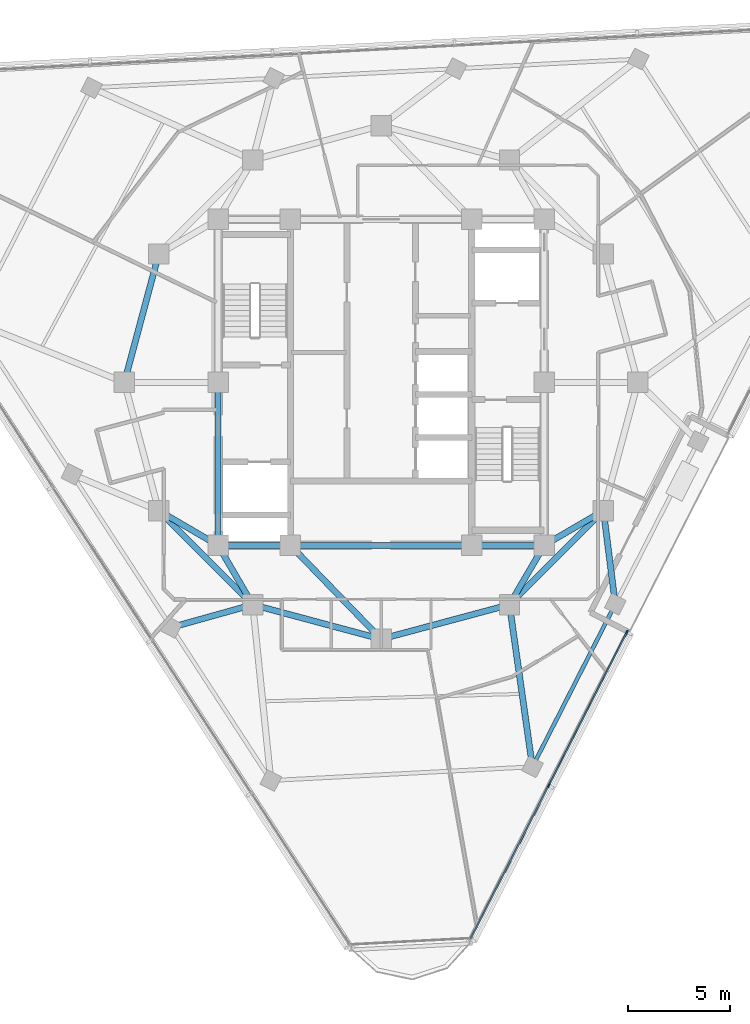
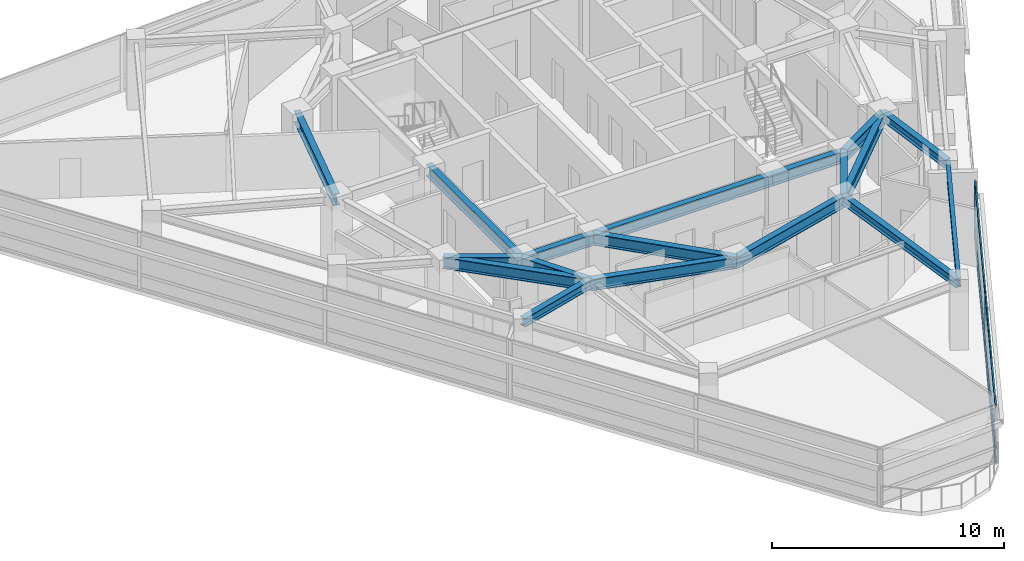
# One storey, part 3 of 15: 18 beams, 8 members, 1 element without a shape of its own.
"""IFC4 building model written with IfcOpenShell, lengths in metres."""

import ifcopenshell
import ifcopenshell.guid

model = None  # the IFC model being written
_history = None  # IfcOwnerHistory: only IFC2X3 demands one
_inside = {}  # id of a spatial element -> (the spatial element, [elements in it])
_under = {}  # id of a project, library or spatial element -> (it, [spatial elements below it])
_declared = {}  # id of a project -> (the project, [libraries it declares])
_typed = {}  # id of a type object -> (the type object, [elements of that type])
_made_of = {}  # id of a material, layer set ... -> (it, [elements and type objects made of it])


def new_model(schema):
    """Start an empty IFC model of exactly this schema.

    Asked for "IFC4X3", IfcOpenShell would pick the latest addendum, in which some entities
    have other attributes; the version numbers below select the first issue.
    IFC2X3 requires an IfcOwnerHistory on every rooted entity: one is made here for all.
    """
    global model, _history
    if schema == "IFC4X3":
        model = ifcopenshell.file(schema_version=(4, 3, 0, 0))
    else:
        model = ifcopenshell.file(schema=schema)
    _inside.clear()
    _under.clear()
    _declared.clear()
    _typed.clear()
    _made_of.clear()
    _history = None
    if model.schema == "IFC2X3":
        org = make("IfcOrganization", Name="unknown")
        user = make(
            "IfcPersonAndOrganization",
            ThePerson=make("IfcPerson", FamilyName="unknown"),
            TheOrganization=org,
        )
        app = make(
            "IfcApplication",
            ApplicationDeveloper=org,
            Version="unknown",
            ApplicationFullName="unknown",
            ApplicationIdentifier="unknown",
        )
        _history = make(
            "IfcOwnerHistory",
            OwningUser=user,
            OwningApplication=app,
            ChangeAction="ADDED",
            CreationDate=0,
        )
    return model


def make(cls, **values):
    """One entity of the class cls with the attributes given. An attribute that is None is left unset."""
    return model.create_entity(
        cls, **{name: value for name, value in values.items() if value is not None}
    )


def rooted(cls, **values):
    """An entity with a GlobalId (a new one), such as an element, a storey or a relation."""
    return make(cls, GlobalId=ifcopenshell.guid.new(), OwnerHistory=_history, **values)


def si_unit(unit_type, name, prefix=None):
    """IfcSIUnit, for example si_unit("LENGTHUNIT", "METRE", prefix="MILLI")."""
    return make("IfcSIUnit", UnitType=unit_type, Prefix=prefix, Name=name)


def assignment(units):
    """IfcUnitAssignment: the units of a project."""
    return None if units is None else make("IfcUnitAssignment", Units=units)


def point(xyz):
    """IfcCartesianPoint."""
    return None if xyz is None else make("IfcCartesianPoint", Coordinates=xyz)


def direction(xyz):
    """IfcDirection."""
    return None if xyz is None else make("IfcDirection", DirectionRatios=xyz)


def frame(location, z_axis=None, x_axis=None):
    """IfcAxis2Placement3D, a coordinate frame: its origin and axes. An axis left out is left unset."""
    return make(
        "IfcAxis2Placement3D",
        Location=point(location),
        Axis=direction(z_axis),
        RefDirection=direction(x_axis),
    )


def frame_2d(location, x_axis=None):
    """IfcAxis2Placement2D, a coordinate frame in the plane: its origin and x axis."""
    return make(
        "IfcAxis2Placement2D", Location=point(location), RefDirection=direction(x_axis)
    )


def origin():
    """The frame at (0, 0, 0) with its axes left unset."""
    return frame((0.0, 0.0, 0.0))


def origin_2d():
    """The frame at (0, 0) in the plane with its x axis left unset."""
    return frame_2d((0.0, 0.0))


def place(relative_to, where):
    """IfcLocalPlacement: puts the frame where relative to a parent placement (None: the world)."""
    return make(
        "IfcLocalPlacement", PlacementRelTo=relative_to, RelativePlacement=where
    )


def context(
    kind, dimensions, precision=None, world=None, true_north=None, identifier=None
):
    """IfcGeometricRepresentationContext, for example the 3D "Model" context."""
    return make(
        "IfcGeometricRepresentationContext",
        ContextIdentifier=identifier,
        ContextType=kind,
        CoordinateSpaceDimension=dimensions,
        Precision=precision,
        WorldCoordinateSystem=world,
        TrueNorth=true_north,
    )


def subcontext(parent, identifier, kind, view, scale=None):
    """IfcGeometricRepresentationSubContext, for example "Body" below "Model"."""
    return make(
        "IfcGeometricRepresentationSubContext",
        ContextIdentifier=identifier,
        ContextType=kind,
        ParentContext=parent,
        TargetScale=scale,
        TargetView=view,
    )


def project(units=None, contexts=None):
    """IfcProject with its units and contexts."""
    return rooted(
        "IfcProject",
        Name="project",
        RepresentationContexts=contexts,
        UnitsInContext=assignment(units),
    )


def spatial(cls, under=None, at=None, **own):
    """A site, building, storey or space (cls), placed at a placement, below another one or the project."""
    s = rooted(cls, ObjectPlacement=at, **own)
    if under is not None:
        _under.setdefault(under.id(), (under, []))[1].append(s)
    return s


def profile(cls, at=None, kind="AREA", **sizes):
    """A parametric profile (cls). Its sizes go by their IFC names, for example OverallWidth=200.0."""
    return make(cls, ProfileType=kind, Position=at, **sizes)


def rectangle(**sizes):
    """IfcRectangleProfileDef."""
    return profile("IfcRectangleProfileDef", **sizes)


def i_section(**sizes):
    """IfcIShapeProfileDef."""
    return profile("IfcIShapeProfileDef", **sizes)


def extrude(swept, where, along, depth):
    """IfcExtrudedAreaSolid: the profile swept, set in the frame where, extruded along a direction by depth."""
    return make(
        "IfcExtrudedAreaSolid",
        SweptArea=swept,
        Position=where,
        ExtrudedDirection=direction(along),
        Depth=depth,
    )


def shape(context_of_items, identifier, shape_type, items):
    """IfcShapeRepresentation: the items that make up one representation, for example the "Body"."""
    return make(
        "IfcShapeRepresentation",
        ContextOfItems=context_of_items,
        RepresentationIdentifier=identifier,
        RepresentationType=shape_type,
        Items=items,
    )


def material(Name=None, Category=None):
    """IfcMaterial."""
    return make("IfcMaterial", Name=Name, Category=Category)


def layer(
    of_material, thickness, ventilated=None, Name=None, Category=None, Priority=None
):
    """IfcMaterialLayer: one layer of a wall or slab, of a material (None: an air gap)."""
    return make(
        "IfcMaterialLayer",
        Material=of_material,
        LayerThickness=thickness,
        IsVentilated=ventilated,
        Name=Name,
        Category=Category,
        Priority=Priority,
    )


def layer_set(layers, Name=None):
    """IfcMaterialLayerSet."""
    return make("IfcMaterialLayerSet", MaterialLayers=layers, LayerSetName=Name)


def material_profile(
    of_material, cross_section, Name=None, Category=None, Priority=None
):
    """IfcMaterialProfile: a cross section and its material."""
    return make(
        "IfcMaterialProfile",
        Name=Name,
        Material=of_material,
        Profile=cross_section,
        Priority=Priority,
        Category=Category,
    )


def profile_set(profiles, Name=None, composite=None):
    """IfcMaterialProfileSet."""
    return make(
        "IfcMaterialProfileSet",
        Name=Name,
        MaterialProfiles=profiles,
        CompositeProfile=composite,
    )


def made_of(thing, what):
    """Note that an element or type object is made of a material, layer set ...; save() writes the relation."""
    if what is not None:
        _made_of.setdefault(what.id(), (what, []))[1].append(thing)
    return thing


def type_object(cls, material=None, **own):
    """A type object (cls), such as IfcWallType, which elements share."""
    return made_of(rooted(cls, **own), material)


def element(
    cls,
    number,
    at=None,
    inside=None,
    cuts=None,
    type_object=None,
    material=None,
    context=None,
    identifier="Body",
    shape_type=None,
    held_by="IfcProductDefinitionShape",
    body=None,
    shapes=None,
    **own,
):
    """One element of the class cls, such as IfcWall. Its Tag is "e" and its number.

    at: its placement. inside: the storey or other place that contains it. cuts: it is an
    opening in that element (IfcRelVoidsElement). A single representation is given by context,
    identifier, shape_type and body (its items); several are given by shapes. held_by: the class
    of the entity that holds the representations. save() writes the other relations.
    """
    e = rooted(cls, Tag="e%d" % number, ObjectPlacement=at, **own)
    if body is not None:
        shapes = [shape(context, identifier, shape_type, body)]
    if shapes is not None:
        e.Representation = make(held_by, Representations=shapes)
    if inside is not None:
        _inside.setdefault(inside.id(), (inside, []))[1].append(e)
    if cuts is not None:
        rooted(
            "IfcRelVoidsElement", RelatingBuildingElement=cuts, RelatedOpeningElement=e
        )
    if type_object is not None:
        _typed.setdefault(type_object.id(), (type_object, []))[1].append(e)
    return made_of(e, material)


def aggregate(whole, parts):
    """IfcRelAggregates: a whole, such as a stair, and the parts it consists of."""
    return rooted("IfcRelAggregates", RelatingObject=whole, RelatedObjects=parts)


def save(model, path):
    """Write the relations noted so far, then the file.

    IfcRelAggregates (storeys below a building ...), IfcRelContainedInSpatialStructure (elements
    in a storey), IfcRelDefinesByType, IfcRelAssociatesMaterial and IfcRelDeclares: one each for
    every whole, place, type object, material and project.
    """
    for whole, parts in _under.values():
        aggregate(whole, parts)
    for where, things in _inside.values():
        rooted(
            "IfcRelContainedInSpatialStructure",
            RelatedElements=things,
            RelatingStructure=where,
        )
    for kind, things in _typed.values():
        rooted("IfcRelDefinesByType", RelatedObjects=things, RelatingType=kind)
    for what, things in _made_of.values():
        rooted("IfcRelAssociatesMaterial", RelatedObjects=things, RelatingMaterial=what)
    for by, libraries in _declared.values():
        rooted("IfcRelDeclares", RelatingContext=by, RelatedDefinitions=libraries)
    model.write(path)


model = new_model("IFC4")

# Units and contexts
model_context = context("Model", 3, precision=1e-05, world=origin(), true_north=direction((0.0, 1.0)))
body_context = subcontext(model_context, "Body", "Model", "MODEL_VIEW")
ifc_project = project(units=[si_unit("LENGTHUNIT", "METRE"), si_unit("AREAUNIT", "SQUARE_METRE"), si_unit("VOLUMEUNIT", "CUBIC_METRE"), si_unit("PLANEANGLEUNIT", "RADIAN"), si_unit("MASSUNIT", "GRAM", prefix="KILO")], contexts=[model_context])

# Site, building, storey
site_placement = place(None, origin())
site = spatial("IfcSite", under=ifc_project, at=site_placement, CompositionType="ELEMENT")
building_placement = place(site_placement, origin())
building = spatial("IfcBuilding", under=site, at=building_placement, Name="Terralouvre Media Tower", CompositionType="ELEMENT")
storey_placement = place(building_placement, frame((0.0, 0.0, 252.199951171875)))
storey = spatial("IfcBuildingStorey", under=building, at=storey_placement, Name="L65", CompositionType="ELEMENT", Elevation=252.199951171875)

# Curtain wall, members
ifc_material_1 = material(Name="Low-iron laminated double glazing with solar-control coating", Category="glass")
ifc_layer = layer(ifc_material_1, 0.1650390625, Name="Upper Executive Tower Curtain Wall CW-05")
ifc_layer_set = layer_set([ifc_layer], Name="Low-iron laminated double glazing with solar-control coating")
curtain_wall_type = type_object("IfcCurtainWallType", Name="Upper Executive Tower Curtain Wall CW-05", PredefinedType="NOTDEFINED", material=ifc_layer_set)
curtain_wall_placement = place(storey_placement, origin())
curtain_wall = element("IfcCurtainWall", 1, at=curtain_wall_placement, inside=storey, type_object=curtain_wall_type, Name="L65 Left Flank Curtain Wall F0", PredefinedType="NOTDEFINED")
ifc_material_2 = material(Name="Anodised extruded aluminium 6063-T6", Category="aluminium")
ifc_material_profile_1 = material_profile(ifc_material_2, rectangle(XDim=0.074951171875, YDim=0.14990234375, at=origin_2d()), Name="ALU 75x150")
ifc_profile_set_1 = profile_set([ifc_material_profile_1], Name="Anodised extruded aluminium 6063-T6")
member_type_1 = type_object("IfcMemberType", Name="Curtain-Wall Horizontal Transom TR-150", PredefinedType="USERDEFINED", material=ifc_profile_set_1)
member_1_placement = place(storey_placement, frame((4.3994140625, -27.297607421875, 0.03759765625), z_axis=(0.453988569409, 0.891007507738, 0.0), x_axis=(-0.891007507738, 0.453988569409, 0.0)))
member_1 = element("IfcMember", 2, at=member_1_placement, type_object=member_type_1, Name="CW-05 transom 1.1", ObjectType="TRANSOM", PredefinedType="USERDEFINED", context=body_context, shape_type="SweptSolid", body=[
    extrude(rectangle(XDim=0.074951171875, YDim=0.14990234375, at=origin_2d()), origin(), (0.0, 0.0, 1.0), 8.387451171875),
])
member_2_placement = place(storey_placement, frame((4.3994140625, -27.297607421875, 0.800048828125), z_axis=(0.453988569409, 0.891007507738, 0.0), x_axis=(-0.891007507738, 0.453988569409, 0.0)))
member_2 = element("IfcMember", 3, at=member_2_placement, type_object=member_type_1, Name="CW-05 transom 1.2", ObjectType="TRANSOM", PredefinedType="USERDEFINED", context=body_context, shape_type="SweptSolid", body=[
    extrude(rectangle(XDim=0.074951171875, YDim=0.14990234375, at=origin_2d()), origin(), (0.0, 0.0, 1.0), 8.387451171875),
])
member_3_placement = place(storey_placement, frame((4.3994140625, -27.297607421875, 2.962646484375), z_axis=(0.453988569409, 0.891007507738, 0.0), x_axis=(-0.891007507738, 0.453988569409, 0.0)))
member_3 = element("IfcMember", 4, at=member_3_placement, type_object=member_type_1, Name="CW-05 transom 1.3", ObjectType="TRANSOM", PredefinedType="USERDEFINED", context=body_context, shape_type="SweptSolid", body=[
    extrude(rectangle(XDim=0.074951171875, YDim=0.14990234375, at=origin_2d()), origin(), (0.0, 0.0, 1.0), 8.387451171875),
])
member_4_placement = place(storey_placement, frame((8.2412109375, -19.75732421875, 0.03759765625), z_axis=(0.453988569409, 0.891007507738, 0.0), x_axis=(-0.891007507738, 0.453988569409, 0.0)))
member_4 = element("IfcMember", 5, at=member_4_placement, type_object=member_type_1, Name="CW-05 transom 2.1", ObjectType="TRANSOM", PredefinedType="USERDEFINED", context=body_context, shape_type="SweptSolid", body=[
    extrude(rectangle(XDim=0.074951171875, YDim=0.14990234375, at=origin_2d()), origin(), (0.0, 0.0, 1.0), 8.387451171875),
])
member_5_placement = place(storey_placement, frame((8.2412109375, -19.75732421875, 0.800048828125), z_axis=(0.453988569409, 0.891007507738, 0.0), x_axis=(-0.891007507738, 0.453988569409, 0.0)))
member_5 = element("IfcMember", 6, at=member_5_placement, type_object=member_type_1, Name="CW-05 transom 2.2", ObjectType="TRANSOM", PredefinedType="USERDEFINED", context=body_context, shape_type="SweptSolid", body=[
    extrude(rectangle(XDim=0.074951171875, YDim=0.14990234375, at=origin_2d()), origin(), (0.0, 0.0, 1.0), 8.387451171875),
])
member_6_placement = place(storey_placement, frame((8.2412109375, -19.75732421875, 2.962646484375), z_axis=(0.453988569409, 0.891007507738, 0.0), x_axis=(-0.891007507738, 0.453988569409, 0.0)))
member_6 = element("IfcMember", 7, at=member_6_placement, type_object=member_type_1, Name="CW-05 transom 2.3", ObjectType="TRANSOM", PredefinedType="USERDEFINED", context=body_context, shape_type="SweptSolid", body=[
    extrude(rectangle(XDim=0.074951171875, YDim=0.14990234375, at=origin_2d()), origin(), (0.0, 0.0, 1.0), 8.387451171875),
])
ifc_material_3 = material(Name="Anodised extruded aluminium 6063-T6", Category="aluminium")
ifc_material_profile_2 = material_profile(ifc_material_3, rectangle(XDim=0.074951171875, YDim=0.179931640625, at=origin_2d()), Name="ALU 75x180")
ifc_profile_set_2 = profile_set([ifc_material_profile_2], Name="Anodised extruded aluminium 6063-T6")
member_type_2 = type_object("IfcMemberType", Name="Curtain-Wall Vertical Mullion ML-180", PredefinedType="MULLION", material=ifc_profile_set_2)
member_7_placement = place(storey_placement, frame((8.22412109375, -19.790771484375, 0.0), z_axis=(0.0, 0.0, 1.0), x_axis=(-0.89100683653, 0.453989886735, 0.0)))
member_7 = element("IfcMember", 8, at=member_7_placement, type_object=member_type_2, Name="CW-05 mullion 2", PredefinedType="MULLION", context=body_context, shape_type="SweptSolid", body=[
    extrude(rectangle(XDim=0.074951171875, YDim=0.179931640625, at=origin_2d()), origin(), (0.0, 0.0, 1.0), 3.0),
])
member_8_placement = place(storey_placement, frame((12.066162109375, -12.250732421875, 0.0), z_axis=(0.0, 0.0, 1.0), x_axis=(-0.89100683653, 0.453989886735, 0.0)))
member_8 = element("IfcMember", 9, at=member_8_placement, type_object=member_type_2, Name="CW-05 mullion 3", PredefinedType="MULLION", context=body_context, shape_type="SweptSolid", body=[
    extrude(rectangle(XDim=0.074951171875, YDim=0.179931640625, at=origin_2d()), origin(), (0.0, 0.0, 1.0), 3.0),
])
aggregate(curtain_wall, [member_7, member_8, member_1, member_2, member_3, member_4, member_5, member_6])

# Beams
ifc_material_4 = material(Name="Structural steel S355J2", Category="steel")
ifc_material_profile_3 = material_profile(ifc_material_4, i_section(OverallWidth=0.18994140625, OverallDepth=0.449951171875, WebThickness=0.009521484375, FlangeThickness=0.0146484375, at=origin_2d()), Name="IPE 450")
ifc_profile_set_3 = profile_set([ifc_material_profile_3], Name="Structural steel S355J2")
beam_type_1 = type_object("IfcBeamType", Name="Perimeter Spandrel Beam SPB-450 (IPE 450)", PredefinedType="SPANDREL", material=ifc_profile_set_3)
beam_1_placement = place(storey_placement, frame((7.42626953125, -18.867919921875, 3.275146484375), z_axis=(0.453980068772, 0.891011838955, 0.0), x_axis=(-0.891011838955, 0.453980068772, 0.0)))
element("IfcBeam", 10, at=beam_1_placement, inside=storey, type_object=beam_type_1, Name="L65 Framing Beam BM-L65-PR04", PredefinedType="SPANDREL", context=body_context, shape_type="SweptSolid", body=[
    extrude(i_section(OverallWidth=0.18994140625, OverallDepth=0.449951171875, WebThickness=0.009521484375, FlangeThickness=0.0146484375, at=origin_2d()), origin(), (0.0, 0.0, 1.0), 8.9599609375),
])
ifc_material_5 = material(Name="Structural steel S355J2", Category="steel")
ifc_material_profile_4 = material_profile(ifc_material_5, i_section(OverallWidth=0.300048828125, OverallDepth=0.449951171875, WebThickness=0.013916015625, FlangeThickness=0.02587890625, at=origin_2d()), Name="HEB 450")
ifc_profile_set_4 = profile_set([ifc_material_profile_4], Name="Structural steel S355J2")
beam_type_2 = type_object("IfcBeamType", Name="Primary Floor Girder B-HEB450 (HEB 450)", PredefinedType="BEAM", material=ifc_profile_set_4)
beam_2_placement = place(storey_placement, frame((-6.300048828125, -10.911865234375, 3.275146484375), z_axis=(-0.963188145668, -0.268828190571, 0.0), x_axis=(0.268828190571, -0.963188145668, 0.0)))
element("IfcBeam", 11, at=beam_2_placement, inside=storey, type_object=beam_type_2, Name="L65 Framing Beam BM-L65-RD02", PredefinedType="BEAM", context=body_context, shape_type="SweptSolid", body=[
    extrude(i_section(OverallWidth=0.300048828125, OverallDepth=0.449951171875, WebThickness=0.013916015625, FlangeThickness=0.02587890625, at=origin_2d()), origin(), (0.0, 0.0, 1.0), 4.145751953125),
])
beam_3_placement = place(storey_placement, frame((6.300048828125, -10.911865234375, 3.275146484375), z_axis=(0.140157905782, -0.990129164022, 0.0), x_axis=(0.990129164022, 0.140157905782, 0.0)))
element("IfcBeam", 12, at=beam_3_placement, inside=storey, type_object=beam_type_2, Name="L65 Framing Beam BM-L65-RD04", PredefinedType="BEAM", context=body_context, shape_type="SweptSolid", body=[
    extrude(i_section(OverallWidth=0.300048828125, OverallDepth=0.449951171875, WebThickness=0.013916015625, FlangeThickness=0.02587890625, at=origin_2d()), origin(), (0.0, 0.0, 1.0), 8.035400390625),
])
beam_4_placement = place(storey_placement, frame((10.911865234375, -6.300048828125, 3.275146484375), z_axis=(0.125946128673, -0.992037082307, 0.0), x_axis=(0.992037082307, 0.125946128673, 0.0)))
element("IfcBeam", 13, at=beam_4_placement, inside=storey, type_object=beam_type_2, Name="L65 Framing Beam BM-L65-RD05", PredefinedType="BEAM", context=body_context, shape_type="SweptSolid", body=[
    extrude(i_section(OverallWidth=0.300048828125, OverallDepth=0.449951171875, WebThickness=0.013916015625, FlangeThickness=0.02587890625, at=origin_2d()), origin(), (0.0, 0.0, 1.0), 4.621337890625),
])
ifc_material_6 = material(Name="Structural steel S460M", Category="steel")
ifc_material_profile_5 = material_profile(ifc_material_6, i_section(OverallWidth=0.300048828125, OverallDepth=0.60009765625, WebThickness=0.015380859375, FlangeThickness=0.030029296875, at=origin_2d()), Name="HEB 600")
ifc_profile_set_5 = profile_set([ifc_material_profile_5], Name="Structural steel S460M")
beam_type_3 = type_object("IfcBeamType", Name="Primary Floor Girder B-HEB600 (HEB 600)", PredefinedType="BEAM", material=ifc_profile_set_5)
beam_5_placement = place(storey_placement, frame((-8.0, -8.0, 3.199951171875), z_axis=(1.0, 0.0, 0.0), x_axis=(0.0, 1.0, 0.0)))
element("IfcBeam", 14, at=beam_5_placement, inside=storey, type_object=beam_type_3, Name="L65 Framing Beam BM-L65-CPR01", PredefinedType="BEAM", context=body_context, shape_type="SweptSolid", body=[
    extrude(i_section(OverallWidth=0.300048828125, OverallDepth=0.60009765625, WebThickness=0.015380859375, FlangeThickness=0.030029296875, at=origin_2d()), origin(), (0.0, 0.0, 1.0), 3.550048828125),
])
beam_6_placement = place(storey_placement, frame((-4.449951171875, -8.0, 3.199951171875), z_axis=(1.0, 0.0, 0.0), x_axis=(0.0, 1.0, 0.0)))
element("IfcBeam", 15, at=beam_6_placement, inside=storey, type_object=beam_type_3, Name="L65 Framing Beam BM-L65-CPR02", PredefinedType="BEAM", context=body_context, shape_type="SweptSolid", body=[
    extrude(i_section(OverallWidth=0.300048828125, OverallDepth=0.60009765625, WebThickness=0.015380859375, FlangeThickness=0.030029296875, at=origin_2d()), origin(), (0.0, 0.0, 1.0), 8.89990234375),
])
beam_7_placement = place(storey_placement, frame((4.449951171875, -8.0, 3.199951171875), z_axis=(1.0, 0.0, 0.0), x_axis=(0.0, 1.0, 0.0)))
element("IfcBeam", 16, at=beam_7_placement, inside=storey, type_object=beam_type_3, Name="L65 Framing Beam BM-L65-CPR03", PredefinedType="BEAM", context=body_context, shape_type="SweptSolid", body=[
    extrude(i_section(OverallWidth=0.300048828125, OverallDepth=0.60009765625, WebThickness=0.015380859375, FlangeThickness=0.030029296875, at=origin_2d()), origin(), (0.0, 0.0, 1.0), 3.550048828125),
])
beam_8_placement = place(storey_placement, frame((-8.0, 0.0, 3.199951171875), z_axis=(0.0, -1.0, 0.0), x_axis=(1.0, 0.0, 0.0)))
element("IfcBeam", 17, at=beam_8_placement, inside=storey, type_object=beam_type_3, Name="L65 Framing Beam BM-L65-CPR10", PredefinedType="BEAM", context=body_context, shape_type="SweptSolid", body=[
    extrude(i_section(OverallWidth=0.300048828125, OverallDepth=0.60009765625, WebThickness=0.015380859375, FlangeThickness=0.030029296875, at=origin_2d()), origin(), (0.0, 0.0, 1.0), 8.0),
])
beam_9_placement = place(storey_placement, frame((-10.911865234375, -6.300048828125, 3.199951171875), z_axis=(0.707106781187, -0.707106781187, 0.0), x_axis=(0.707106781187, 0.707106781187, 0.0)))
element("IfcBeam", 18, at=beam_9_placement, inside=storey, type_object=beam_type_3, Name="L65 Framing Beam BM-L65-MR01", PredefinedType="BEAM", context=body_context, shape_type="SweptSolid", body=[
    extrude(i_section(OverallWidth=0.300048828125, OverallDepth=0.60009765625, WebThickness=0.015380859375, FlangeThickness=0.030029296875, at=origin_2d()), origin(), (0.0, 0.0, 1.0), 6.52197265625),
])
for number, where, z_axis, x_axis, name in (
    (19, (-6.300048828125, -10.911865234375, 3.199951171875), (0.965920481897, -0.258838989821, 0.0), (0.258838989821, 0.965920481897, 0.0), "L65 Framing Beam BM-L65-MR02"),
    (20, (0.0, -12.60009765625, 3.199951171875), (0.965920481897, 0.258838989821, 0.0), (-0.258838989821, 0.965920481897, 0.0), "L65 Framing Beam BM-L65-MR03"),
):
    element("IfcBeam", number, at=place(storey_placement, frame(where, z_axis=z_axis, x_axis=x_axis)), inside=storey, type_object=beam_type_3, Name=name, PredefinedType="BEAM", context=body_context, shape_type="SweptSolid", body=[
        extrude(i_section(OverallWidth=0.300048828125, OverallDepth=0.60009765625, WebThickness=0.015380859375, FlangeThickness=0.030029296875, at=origin_2d()), origin(), (0.0, 0.0, 1.0), 6.522216796875),
    ])
beam_10_placement = place(storey_placement, frame((6.300048828125, -10.911865234375, 3.199951171875), z_axis=(0.707106781187, 0.707106781187, 0.0), x_axis=(-0.707106781187, 0.707106781187, 0.0)))
element("IfcBeam", 21, at=beam_10_placement, inside=storey, type_object=beam_type_3, Name="L65 Framing Beam BM-L65-MR04", PredefinedType="BEAM", context=body_context, shape_type="SweptSolid", body=[
    extrude(i_section(OverallWidth=0.300048828125, OverallDepth=0.60009765625, WebThickness=0.015380859375, FlangeThickness=0.030029296875, at=origin_2d()), origin(), (0.0, 0.0, 1.0), 6.52197265625),
])
beam_11_placement = place(storey_placement, frame((-10.911865234375, 6.300048828125, 3.199951171875), z_axis=(-0.258838989821, -0.965920481897, 0.0), x_axis=(0.965920481897, -0.258838989821, 0.0)))
element("IfcBeam", 22, at=beam_11_placement, inside=storey, type_object=beam_type_3, Name="L65 Framing Beam BM-L65-MR11", PredefinedType="BEAM", context=body_context, shape_type="SweptSolid", body=[
    extrude(i_section(OverallWidth=0.300048828125, OverallDepth=0.60009765625, WebThickness=0.015380859375, FlangeThickness=0.030029296875, at=origin_2d()), origin(), (0.0, 0.0, 1.0), 6.522216796875),
])
for number, where, z_axis, x_axis, name in (
    (23, (-8.0, -8.0, 3.199951171875), (-0.863602894532, 0.504172629717, 0.0), (-0.504172629717, -0.863602894532, 0.0), "L65 Framing Beam BM-L65-CM01"),
    (24, (-8.0, -8.0, 3.199951171875), (0.504172629717, -0.863602894532, 0.0), (0.863602894532, 0.504172629717, 0.0), "L65 Framing Beam BM-L65-CM02"),
):
    element("IfcBeam", number, at=place(storey_placement, frame(where, z_axis=z_axis, x_axis=x_axis)), inside=storey, type_object=beam_type_3, Name=name, PredefinedType="BEAM", context=body_context, shape_type="SweptSolid", body=[
        extrude(i_section(OverallWidth=0.300048828125, OverallDepth=0.60009765625, WebThickness=0.015380859375, FlangeThickness=0.030029296875, at=origin_2d()), origin(), (0.0, 0.0, 1.0), 3.371826171875),
    ])
beam_12_placement = place(storey_placement, frame((-4.449951171875, -8.0, 3.199951171875), z_axis=(0.695279715726, -0.718739255155, 0.0), x_axis=(0.718739255155, 0.695279715726, 0.0)))
element("IfcBeam", 25, at=beam_12_placement, inside=storey, type_object=beam_type_3, Name="L65 Framing Beam BM-L65-CM03", PredefinedType="BEAM", context=body_context, shape_type="SweptSolid", body=[
    extrude(i_section(OverallWidth=0.300048828125, OverallDepth=0.60009765625, WebThickness=0.015380859375, FlangeThickness=0.030029296875, at=origin_2d()), origin(), (0.0, 0.0, 1.0), 6.400146484375),
])
for number, where, z_axis, x_axis, name in (
    (26, (8.0, -8.0, 3.199951171875), (-0.504172629717, -0.863602894532, 0.0), (0.863602894532, -0.504172629717, 0.0), "L65 Framing Beam BM-L65-CM04"),
    (27, (8.0, -8.0, 3.199951171875), (0.863602894532, 0.504172629717, 0.0), (-0.504172629717, 0.863602894532, 0.0), "L65 Framing Beam BM-L65-CM05"),
):
    element("IfcBeam", number, at=place(storey_placement, frame(where, z_axis=z_axis, x_axis=x_axis)), inside=storey, type_object=beam_type_3, Name=name, PredefinedType="BEAM", context=body_context, shape_type="SweptSolid", body=[
        extrude(i_section(OverallWidth=0.300048828125, OverallDepth=0.60009765625, WebThickness=0.015380859375, FlangeThickness=0.030029296875, at=origin_2d()), origin(), (0.0, 0.0, 1.0), 3.371826171875),
    ])

save(model, "model.ifc")
